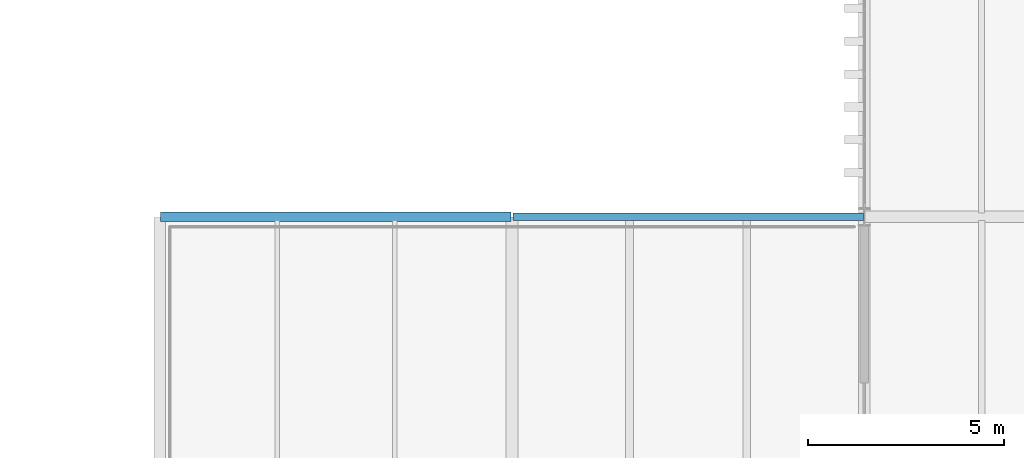
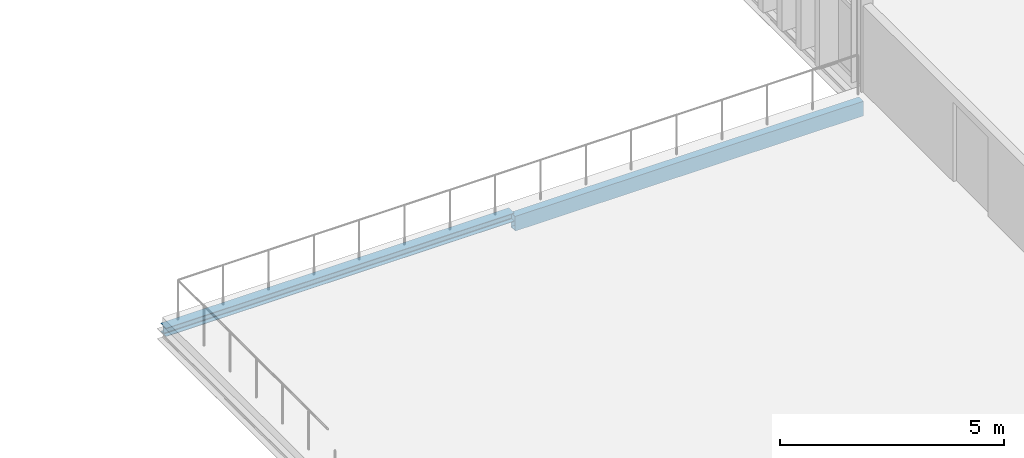
# One storey, part 18 of 58: 2 beams.
"""IFC4 building model written with IfcOpenShell, lengths in metres."""

from ifc_helpers import new_model, si_unit, direction, frame, origin, origin_2d, place, context, subcontext, project, spatial, hollow_rectangle, i_section, extrude, material, material_profile, profile_set, type_object, element, save


model = new_model("IFC4")

# Units and contexts
model_context = context("Model", 3, precision=1e-05, world=origin(), true_north=direction((0.0, 1.0)))
body_context = subcontext(model_context, "Body", "Model", "MODEL_VIEW")
ifc_project = project(units=[si_unit("LENGTHUNIT", "METRE"), si_unit("AREAUNIT", "SQUARE_METRE"), si_unit("VOLUMEUNIT", "CUBIC_METRE"), si_unit("PLANEANGLEUNIT", "RADIAN"), si_unit("MASSUNIT", "GRAM", prefix="KILO")], contexts=[model_context])

# Site, building, storey
site_placement = place(None, origin())
site = spatial("IfcSite", under=ifc_project, at=site_placement, CompositionType="ELEMENT")
building_placement = place(site_placement, origin())
building = spatial("IfcBuilding", under=site, at=building_placement, Name="Barlavento Convention Centre", CompositionType="ELEMENT")
storey_placement = place(building_placement, frame((0.0, 0.0, 26.800048828125)))
storey = spatial("IfcBuildingStorey", under=building, at=storey_placement, Name="L05", CompositionType="ELEMENT", Elevation=26.800048828125)

# Beams
ifc_material = material(Name="Steel S355", Category="steel")
ifc_material_profile_1 = material_profile(ifc_material, i_section(OverallWidth=0.239990234375, OverallDepth=0.22998046875, WebThickness=0.007568359375, FlangeThickness=0.011962890625, FilletRadius=0.02099609375, at=origin_2d()), Name="HEA 240")
ifc_profile_set_1 = profile_set([ifc_material_profile_1], Name="Steel S355")
beam_type_1 = type_object("IfcBeamType", Name="STR-BM-SPN-HEA240", PredefinedType="SPANDREL", material=ifc_profile_set_1)
beam_1_placement = place(storey_placement, frame((153.02001953125, 54.0, -0.35498046875), z_axis=(1.0, 0.0, 0.0), x_axis=(0.0, 1.0, 0.0)))
element("IfcBeam", 1, at=beam_1_placement, inside=storey, type_object=beam_type_1, Name="L05 primary girder SP05", PredefinedType="SPANDREL", context=body_context, shape_type="SweptSolid", body=[
    extrude(i_section(OverallWidth=0.239990234375, OverallDepth=0.22998046875, WebThickness=0.007568359375, FlangeThickness=0.011962890625, FilletRadius=0.02099609375, at=origin_2d()), origin(), (0.0, 0.0, 1.0), 8.9599609375),
])
ifc_material_profile_2 = material_profile(ifc_material, hollow_rectangle(XDim=0.199951171875, YDim=0.39990234375, WallThickness=0.01611328125, at=origin_2d()), Name="RHS 400x200x16.0")
ifc_profile_set_2 = profile_set([ifc_material_profile_2], Name="Steel S355")
beam_type_2 = type_object("IfcBeamType", Name="STR-BM-SPN-RHS400", PredefinedType="SPANDREL", material=ifc_profile_set_2)
beam_2_placement = place(storey_placement, frame((162.02001953125, 54.0, -0.56005859375), z_axis=(1.0, 0.0, 0.0), x_axis=(0.0, 1.0, 0.0)))
element("IfcBeam", 2, at=beam_2_placement, inside=storey, type_object=beam_type_2, Name="L05 primary girder SP06", PredefinedType="SPANDREL", context=body_context, shape_type="SweptSolid", body=[
    extrude(hollow_rectangle(XDim=0.199951171875, YDim=0.39990234375, WallThickness=0.01611328125, at=origin_2d()), origin(), (0.0, 0.0, 1.0), 8.9599609375),
])

save(model, "model.ifc")
